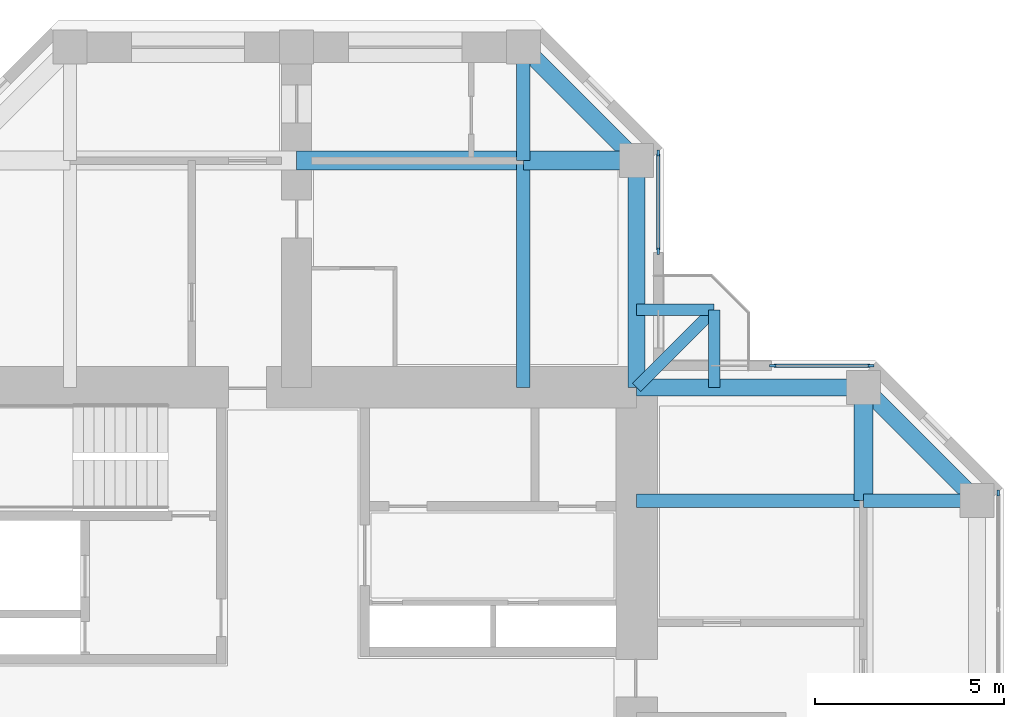
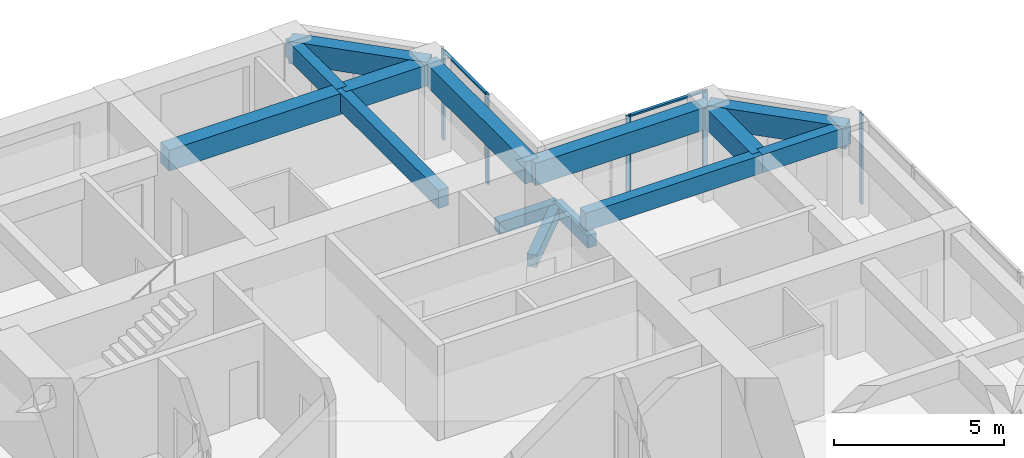
# One storey, part 6 of 13: 14 beams, 7 members, 3 elements without a shape of their own.
"""IFC4 building model written with IfcOpenShell, lengths in metres."""

from ifc_helpers import new_model, si_unit, direction, frame, origin, origin_2d, place, context, subcontext, project, spatial, rectangle, extrude, material, material_profile, profile_set, type_object, element, aggregate, save


model = new_model("IFC4")

# Units and contexts
model_context = context("Model", 3, precision=1e-05, world=origin(), true_north=direction((0.0, 1.0)))
body_context = subcontext(model_context, "Body", "Model", "MODEL_VIEW")
ifc_project = project(units=[si_unit("LENGTHUNIT", "METRE"), si_unit("AREAUNIT", "SQUARE_METRE"), si_unit("VOLUMEUNIT", "CUBIC_METRE"), si_unit("PLANEANGLEUNIT", "RADIAN"), si_unit("MASSUNIT", "GRAM", prefix="KILO")], contexts=[model_context])

# Site, building, storey
site_placement = place(None, origin())
site = spatial("IfcSite", under=ifc_project, at=site_placement, CompositionType="ELEMENT")
building_placement = place(site_placement, origin())
building = spatial("IfcBuilding", under=site, at=building_placement, Name="Torre Cruceta", CompositionType="ELEMENT")
storey_placement = place(building_placement, frame((0.0, 0.0, 196.699951171875)))
storey = spatial("IfcBuildingStorey", under=building, at=storey_placement, Name="L49", CompositionType="ELEMENT", Elevation=196.699951171875)

# Beams
ifc_material_1 = material(Name="Concrete G60 (fck 60 MPa)", Category="concrete")
ifc_material_profile_1 = material_profile(ifc_material_1, rectangle(XDim=0.300048828125, YDim=0.449951171875, at=origin_2d()), Name="RC 300X450")
ifc_profile_set_1 = profile_set([ifc_material_profile_1], Name="Concrete G60 (fck 60 MPa)")
beam_type_1 = type_object("IfcBeamType", Name="BALCONY CANTILEVER BEAM RC 300X450", PredefinedType="BEAM", material=ifc_profile_set_1)
beam_1_placement = place(storey_placement, frame((9.0, 9.0, -0.405029296875), z_axis=(0.707106781187, 0.707106781187, 0.0), x_axis=(-0.707106781187, 0.707106781187, 0.0)))
element("IfcBeam", 1, at=beam_1_placement, inside=storey, type_object=beam_type_1, Name="BB1 balcony beam L49 E", PredefinedType="BEAM", context=body_context, shape_type="SweptSolid", body=[
    extrude(rectangle(XDim=0.300048828125, YDim=0.449951171875, at=origin_2d()), origin(), (0.0, 0.0, 1.0), 2.89990234375),
])
for number, where, z_axis, x_axis, name in (
    (2, (11.050537109375, 9.0, -0.405029296875), (0.0, 1.0, 0.0), (-1.0, 0.0, 0.0), "BB1 balcony edge beam L49 E-X"),
    (3, (9.0, 11.050537109375, -0.405029296875), (1.0, 0.0, 0.0), (0.0, 1.0, 0.0), "BB1 balcony edge beam L49 E-Y"),
):
    element("IfcBeam", number, at=place(storey_placement, frame(where, z_axis=z_axis, x_axis=x_axis)), inside=storey, type_object=beam_type_1, Name=name, PredefinedType="BEAM", context=body_context, shape_type="SweptSolid", body=[
        extrude(rectangle(XDim=0.300048828125, YDim=0.449951171875, at=origin_2d()), origin(), (0.0, 0.0, 1.0), 2.050537109375),
    ])
ifc_material_2 = material(Name="Concrete G60 (fck 60 MPa)", Category="concrete")
ifc_material_profile_2 = material_profile(ifc_material_2, rectangle(XDim=0.35009765625, YDim=0.64990234375, at=origin_2d()), Name="RC 350X650")
ifc_profile_set_2 = profile_set([ifc_material_profile_2], Name="Concrete G60 (fck 60 MPa)")
beam_type_2 = type_object("IfcBeamType", Name="COLUMN LINE BEAM RC 350X650", PredefinedType="BEAM", material=ifc_profile_set_2)
beam_2_placement = place(storey_placement, frame((6.0, 9.0, 2.89501953125), z_axis=(0.0, 1.0, 0.0), x_axis=(-1.0, 0.0, 0.0)))
element("IfcBeam", 4, at=beam_2_placement, inside=storey, type_object=beam_type_2, Name="LB7 L49 N col- 1", PredefinedType="BEAM", context=body_context, shape_type="SweptSolid", body=[
    extrude(rectangle(XDim=0.35009765625, YDim=0.64990234375, at=origin_2d()), origin(), (0.0, 0.0, 1.0), 6.0),
])
beam_3_placement = place(storey_placement, frame((6.0, 15.0, 2.89501953125), z_axis=(0.0, 1.0, 0.0), x_axis=(-1.0, 0.0, 0.0)))
element("IfcBeam", 5, at=beam_3_placement, inside=storey, type_object=beam_type_2, Name="LB7 L49 N col- 2", PredefinedType="BEAM", context=body_context, shape_type="SweptSolid", body=[
    extrude(rectangle(XDim=0.35009765625, YDim=0.64990234375, at=origin_2d()), origin(), (0.0, 0.0, 1.0), 3.0),
])
beam_4_placement = place(storey_placement, frame((9.0, 6.0, 2.89501953125), z_axis=(1.0, 0.0, 0.0), x_axis=(0.0, 1.0, 0.0)))
element("IfcBeam", 6, at=beam_4_placement, inside=storey, type_object=beam_type_2, Name="LB7 L49 E col+ 1", PredefinedType="BEAM", context=body_context, shape_type="SweptSolid", body=[
    extrude(rectangle(XDim=0.35009765625, YDim=0.64990234375, at=origin_2d()), origin(), (0.0, 0.0, 1.0), 6.0),
])
beam_5_placement = place(storey_placement, frame((15.0, 6.0, 2.89501953125), z_axis=(1.0, 0.0, 0.0), x_axis=(0.0, 1.0, 0.0)))
element("IfcBeam", 7, at=beam_5_placement, inside=storey, type_object=beam_type_2, Name="LB7 L49 E col+ 2", PredefinedType="BEAM", context=body_context, shape_type="SweptSolid", body=[
    extrude(rectangle(XDim=0.35009765625, YDim=0.64990234375, at=origin_2d()), origin(), (0.0, 0.0, 1.0), 3.0),
])
ifc_material_3 = material(Name="Concrete G60 (fck 60 MPa)", Category="concrete")
ifc_material_profile_3 = material_profile(ifc_material_3, rectangle(XDim=0.5, YDim=0.75, at=origin_2d()), Name="RC 500X750")
ifc_profile_set_3 = profile_set([ifc_material_profile_3], Name="Concrete G60 (fck 60 MPa)")
beam_type_3 = type_object("IfcBeamType", Name="CROSS BEAM RC 500X750", PredefinedType="BEAM", material=ifc_profile_set_3)
beam_6_placement = place(storey_placement, frame((9.0, 15.0, 2.844970703125), z_axis=(-1.0, 0.0, 0.0), x_axis=(0.0, -1.0, 0.0)))
element("IfcBeam", 8, at=beam_6_placement, inside=storey, type_object=beam_type_3, Name="GB6 L49 N cross15 1", PredefinedType="BEAM", context=body_context, shape_type="SweptSolid", body=[
    extrude(rectangle(XDim=0.5, YDim=0.75, at=origin_2d()), origin(), (0.0, 0.0, 1.0), 3.0),
])
beam_7_placement = place(storey_placement, frame((6.0, 15.0, 2.844970703125), z_axis=(-1.0, 0.0, 0.0), x_axis=(0.0, -1.0, 0.0)))
element("IfcBeam", 9, at=beam_7_placement, inside=storey, type_object=beam_type_3, Name="GB6 L49 N cross15 2", PredefinedType="BEAM", context=body_context, shape_type="SweptSolid", body=[
    extrude(rectangle(XDim=0.5, YDim=0.75, at=origin_2d()), origin(), (0.0, 0.0, 1.0), 6.0),
])
beam_8_placement = place(storey_placement, frame((15.0, 6.0, 2.844970703125), z_axis=(0.0, 1.0, 0.0), x_axis=(-1.0, 0.0, 0.0)))
element("IfcBeam", 10, at=beam_8_placement, inside=storey, type_object=beam_type_3, Name="GB6 L49 E cross15 4", PredefinedType="BEAM", context=body_context, shape_type="SweptSolid", body=[
    extrude(rectangle(XDim=0.5, YDim=0.75, at=origin_2d()), origin(), (0.0, 0.0, 1.0), 3.0),
])

# Curtain wall, member
ifc_material_4 = material(Name="Aluminium unitised curtain wall", Category="aluminium")
curtain_wall_type = type_object("IfcCurtainWallType", Name="CURTAIN WALL CW-C CO-LIVING", PredefinedType="USERDEFINED", material=ifc_material_4)
curtain_wall_1_placement = place(storey_placement, origin())
curtain_wall_1 = element("IfcCurtainWall", 11, at=curtain_wall_1_placement, inside=storey, type_object=curtain_wall_type, Name="CW-C L49 E tip 02", ObjectType="UNITISED", PredefinedType="USERDEFINED")
ifc_material_5 = material(Name="Aluminium mullion", Category="aluminium")
ifc_material_profile_4 = material_profile(ifc_material_5, rectangle(XDim=0.06005859375, YDim=0.159912109375, at=origin_2d()), Name="AL 60X160")
ifc_profile_set_4 = profile_set([ifc_material_profile_4], Name="Aluminium mullion")
member_type_1 = type_object("IfcMemberType", Name="CW-C MULLION 60X160", PredefinedType="MULLION", material=ifc_profile_set_4)
member_1_placement = place(storey_placement, frame((18.570068359375, 6.2060546875, 0.0), z_axis=(0.0, 0.0, 1.0), x_axis=(-1.0, 0.0, 0.0)))
member_1 = element("IfcMember", 12, at=member_1_placement, type_object=member_type_1, Name="CW-C mullion 5", PredefinedType="MULLION", context=body_context, shape_type="SweptSolid", body=[
    extrude(rectangle(XDim=0.06005859375, YDim=0.159912109375, at=origin_2d()), origin(), (0.0, 0.0, 1.0), 3.219970703125),
])
aggregate(curtain_wall_1, [member_1])

# Curtain wall, members
curtain_wall_2_placement = place(storey_placement, origin())
curtain_wall_2 = element("IfcCurtainWall", 13, at=curtain_wall_2_placement, inside=storey, type_object=curtain_wall_type, Name="CW-C L49 E side 04", ObjectType="UNITISED", PredefinedType="USERDEFINED")
member_2_placement = place(storey_placement, frame((15.2060546875, 9.570068359375, 0.0), z_axis=(0.0, 0.0, 1.0), x_axis=(0.0, -1.0, 0.0)))
member_2 = element("IfcMember", 14, at=member_2_placement, type_object=member_type_1, Name="CW-C mullion 1", PredefinedType="MULLION", context=body_context, shape_type="SweptSolid", body=[
    extrude(rectangle(XDim=0.06005859375, YDim=0.159912109375, at=origin_2d()), origin(), (0.0, 0.0, 1.0), 3.219970703125),
])
member_3_placement = place(storey_placement, frame((12.60009765625, 9.570068359375, 0.0), z_axis=(0.0, 0.0, 1.0), x_axis=(0.0, -1.0, 0.0)))
member_3 = element("IfcMember", 15, at=member_3_placement, type_object=member_type_1, Name="CW-C mullion 2", PredefinedType="MULLION", context=body_context, shape_type="SweptSolid", body=[
    extrude(rectangle(XDim=0.06005859375, YDim=0.159912109375, at=origin_2d()), origin(), (0.0, 0.0, 1.0), 3.219970703125),
])

curtain_wall_3_placement = place(storey_placement, origin())
curtain_wall_3 = element("IfcCurtainWall", 16, at=curtain_wall_3_placement, inside=storey, type_object=curtain_wall_type, Name="CW-C L49 N side 05", ObjectType="UNITISED", PredefinedType="USERDEFINED")
member_4_placement = place(storey_placement, frame((9.570068359375, 12.60009765625, 0.0), z_axis=(0.0, 0.0, 1.0), x_axis=(-1.0, 0.0, 0.0)))
member_4 = element("IfcMember", 17, at=member_4_placement, type_object=member_type_1, Name="CW-C mullion 1", PredefinedType="MULLION", context=body_context, shape_type="SweptSolid", body=[
    extrude(rectangle(XDim=0.06005859375, YDim=0.159912109375, at=origin_2d()), origin(), (0.0, 0.0, 1.0), 3.219970703125),
])
member_5_placement = place(storey_placement, frame((9.570068359375, 15.2060546875, 0.0), z_axis=(0.0, 0.0, 1.0), x_axis=(-1.0, 0.0, 0.0)))
member_5 = element("IfcMember", 18, at=member_5_placement, type_object=member_type_1, Name="CW-C mullion 2", PredefinedType="MULLION", context=body_context, shape_type="SweptSolid", body=[
    extrude(rectangle(XDim=0.06005859375, YDim=0.159912109375, at=origin_2d()), origin(), (0.0, 0.0, 1.0), 3.219970703125),
])

# Member
ifc_material_6 = material(Name="Aluminium transom", Category="aluminium")
ifc_material_profile_5 = material_profile(ifc_material_6, rectangle(XDim=0.10009765625, YDim=0.06005859375, at=origin_2d()), Name="AL 100X60")
ifc_profile_set_5 = profile_set([ifc_material_profile_5], Name="Aluminium transom")
member_type_2 = type_object("IfcMemberType", Name="CW-C TRANSOM 60X100", PredefinedType="USERDEFINED", material=ifc_profile_set_5)
member_6_placement = place(storey_placement, frame((15.176025390625, 9.570068359375, 3.18994140625), z_axis=(-1.0, 0.0, 0.0), x_axis=(0.0, -1.0, 0.0)))
member_6 = element("IfcMember", 19, at=member_6_placement, type_object=member_type_2, Name="CW-C transom 1", ObjectType="TRANSOM", PredefinedType="USERDEFINED", context=body_context, shape_type="SweptSolid", body=[
    extrude(rectangle(XDim=0.10009765625, YDim=0.06005859375, at=origin_2d()), origin(), (0.0, 0.0, 1.0), 2.546142578125),
])

aggregate(curtain_wall_2, [member_2, member_3, member_6])

member_7_placement = place(storey_placement, frame((9.570068359375, 12.6298828125, 3.18994140625), z_axis=(0.0, 1.0, 0.0), x_axis=(-1.0, 0.0, 0.0)))
member_7 = element("IfcMember", 20, at=member_7_placement, type_object=member_type_2, Name="CW-C transom 1", ObjectType="TRANSOM", PredefinedType="USERDEFINED", context=body_context, shape_type="SweptSolid", body=[
    extrude(rectangle(XDim=0.10009765625, YDim=0.06005859375, at=origin_2d()), origin(), (0.0, 0.0, 1.0), 2.546142578125),
])

aggregate(curtain_wall_3, [member_4, member_5, member_7])

# Beams
ifc_material_7 = material(Name="Concrete G60 (fck 60 MPa)", Category="concrete")
ifc_material_profile_6 = material_profile(ifc_material_7, rectangle(XDim=0.449951171875, YDim=0.800048828125, at=origin_2d()), Name="RC 450X800")
ifc_profile_set_6 = profile_set([ifc_material_profile_6], Name="Concrete G60 (fck 60 MPa)")
beam_type_4 = type_object("IfcBeamType", Name="SPANDREL BEAM RC 450X800", PredefinedType="SPANDREL", material=ifc_profile_set_6)
beam_9_placement = place(storey_placement, frame((9.0, 9.0, 2.820068359375), z_axis=(0.0, 1.0, 0.0), x_axis=(-1.0, 0.0, 0.0)))
element("IfcBeam", 21, at=beam_9_placement, inside=storey, type_object=beam_type_4, Name="SB6 L49 N side- 1", PredefinedType="SPANDREL", context=body_context, shape_type="SweptSolid", body=[
    extrude(rectangle(XDim=0.449951171875, YDim=0.800048828125, at=origin_2d()), origin(), (0.0, 0.0, 1.0), 6.0),
])
beam_10_placement = place(storey_placement, frame((9.0, 15.0, 2.820068359375), z_axis=(-0.707106781187, 0.707106781187, 0.0), x_axis=(-0.707106781187, -0.707106781187, 0.0)))
element("IfcBeam", 22, at=beam_10_placement, inside=storey, type_object=beam_type_4, Name="SB6 L49 N side- 2", PredefinedType="SPANDREL", context=body_context, shape_type="SweptSolid", body=[
    extrude(rectangle(XDim=0.449951171875, YDim=0.800048828125, at=origin_2d()), origin(), (0.0, 0.0, 1.0), 4.24267578125),
])
beam_11_placement = place(storey_placement, frame((9.0, 9.0, 2.820068359375), z_axis=(1.0, 0.0, 0.0), x_axis=(0.0, 1.0, 0.0)))
element("IfcBeam", 23, at=beam_11_placement, inside=storey, type_object=beam_type_4, Name="SB6 L49 E side+ 1", PredefinedType="SPANDREL", context=body_context, shape_type="SweptSolid", body=[
    extrude(rectangle(XDim=0.449951171875, YDim=0.800048828125, at=origin_2d()), origin(), (0.0, 0.0, 1.0), 6.0),
])
beam_12_placement = place(storey_placement, frame((15.0, 9.0, 2.820068359375), z_axis=(0.707106781187, -0.707106781187, 0.0), x_axis=(0.707106781187, 0.707106781187, 0.0)))
element("IfcBeam", 24, at=beam_12_placement, inside=storey, type_object=beam_type_4, Name="SB6 L49 E side+ 2", PredefinedType="SPANDREL", context=body_context, shape_type="SweptSolid", body=[
    extrude(rectangle(XDim=0.449951171875, YDim=0.800048828125, at=origin_2d()), origin(), (0.0, 0.0, 1.0), 4.24267578125),
])

save(model, "model.ifc")
